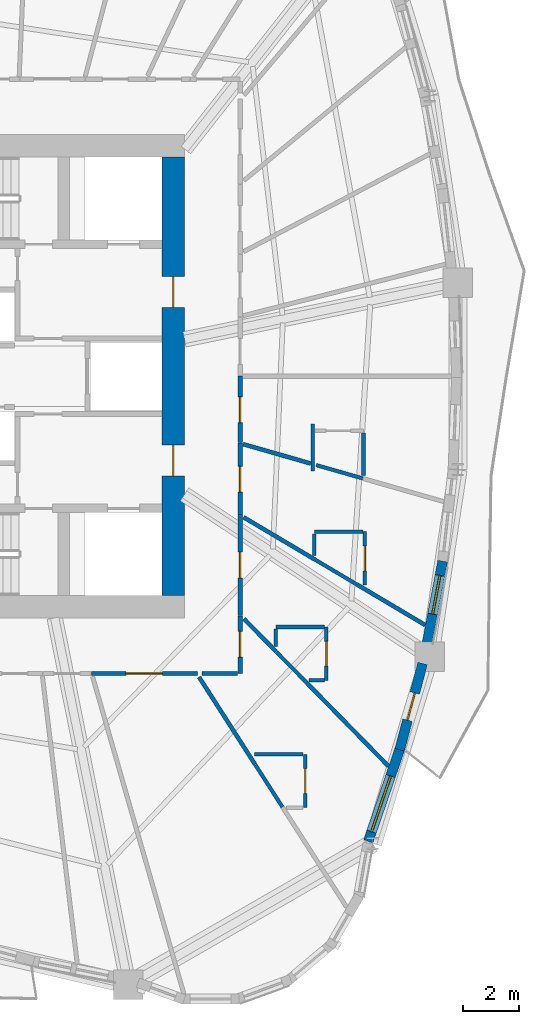
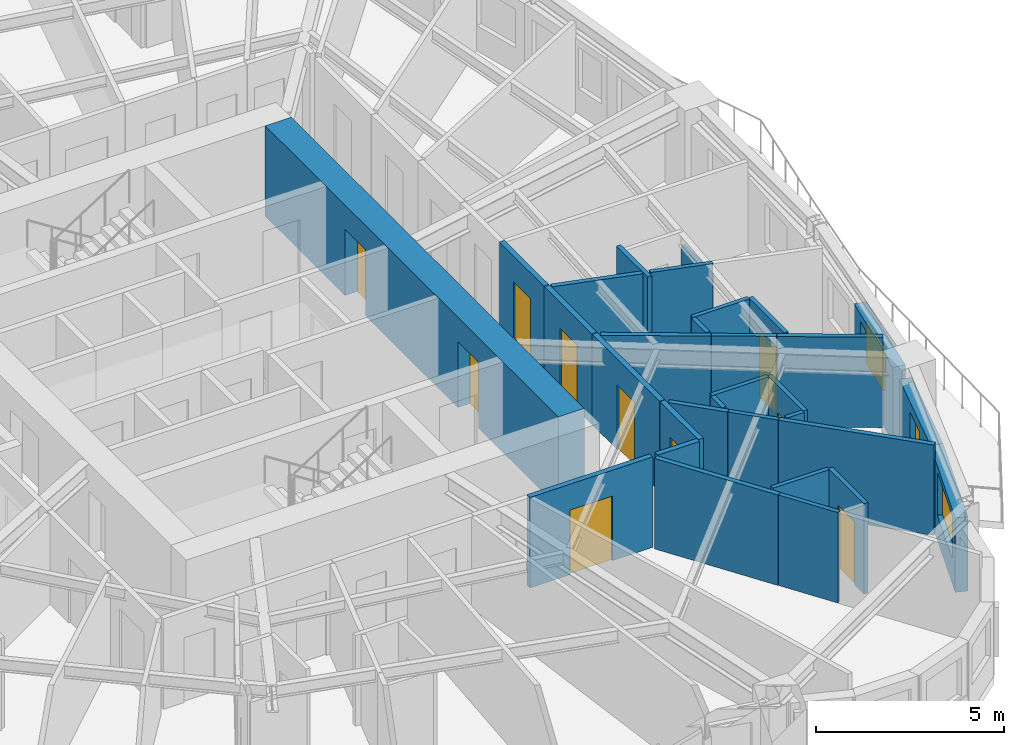
# One storey, part 7 of 14: 31 walls, 11 doors, 2 windows, 13 openings.
"""IFC4 building model written with IfcOpenShell, lengths in metres."""

from ifc_helpers import new_model, si_unit, direction, frame, frame_2d, origin, place, context, subcontext, project, spatial, rectangle, extrude, source, transform, mapped, material, layer, layer_set, type_object, element, fill, save


model = new_model("IFC4")

# Units and contexts
model_context = context("Model", 3, precision=1e-05, world=origin(), true_north=direction((0.0, 1.0)))
body_context = subcontext(model_context, "Body", "Model", "MODEL_VIEW")
ifc_project = project(units=[si_unit("LENGTHUNIT", "METRE"), si_unit("AREAUNIT", "SQUARE_METRE"), si_unit("VOLUMEUNIT", "CUBIC_METRE"), si_unit("PLANEANGLEUNIT", "RADIAN"), si_unit("MASSUNIT", "GRAM", prefix="KILO")], contexts=[model_context])

# Site, building, storey
site_placement = place(None, origin())
site = spatial("IfcSite", under=ifc_project, at=site_placement, CompositionType="ELEMENT")
building_placement = place(site_placement, origin())
building = spatial("IfcBuilding", under=site, at=building_placement, Name="Qafzar Sky-Pleat Residences", CompositionType="ELEMENT")
storey_placement = place(building_placement, frame((0.0, 0.0, 7.800048828125)))
storey = spatial("IfcBuildingStorey", under=building, at=storey_placement, Name="L01", CompositionType="ELEMENT", Elevation=7.800048828125)

# Wall, opening, door
ifc_material_1 = material(Name="Acoustic gypsum plasterboard partition", Category="gypsum")
ifc_layer_1 = layer(ifc_material_1, 0.159912109375)
ifc_layer_set_1 = layer_set([ifc_layer_1], Name="Acoustic gypsum plasterboard partition")
wall_type_1 = type_object("IfcWallType", Name="PART-COR-160", PredefinedType="PARTITIONING", material=ifc_layer_set_1)
wall_1_placement = place(storey_placement, frame((37.154052734375, 15.419921875, 0.0), z_axis=(0.0, 0.0, 1.0), x_axis=(-1.0, 0.0, 0.0)))
wall_1 = element("IfcWall", 1, at=wall_1_placement, inside=storey, type_object=wall_type_1, Name="L01 Partition Wall PART-L01-PW-002", PredefinedType="PARTITIONING", context=body_context, shape_type="SweptSolid", body=[
    extrude(rectangle(XDim=3.774169921875, YDim=0.159912109375, at=frame_2d((1.88720703125, 0.0))), origin(), (0.0, 0.0, 1.0), 2.93994140625),
])
opening_1_placement = place(wall_1_placement, frame((1.238525390625, 0.0, 0.0)))
opening_1 = element("IfcOpeningElement", 2, at=opening_1_placement, cuts=wall_1, Name="Opening ID-05", PredefinedType="OPENING", context=body_context, shape_type="SweptSolid", body=[
    extrude(rectangle(XDim=1.300048828125, YDim=2.10009765625, at=frame_2d((0.64990234375, 1.050048828125))), frame((0.0, 0.08984375, 0.0), z_axis=(0.0, -1.0, 0.0), x_axis=(1.0, 0.0, 0.0)), (0.0, 0.0, 1.0), 0.179931640625),
])
ifc_material_2 = material(Name="Timber-faced fire door", Category="wood")
door_type_1 = type_object("IfcDoorType", Name="DR-LNG-1300", OperationType="DOUBLE_DOOR_SINGLE_SWING", PredefinedType="DOOR", material=ifc_material_2)
shared_shape_1 = source(origin(), body_context, "Body", "SweptSolid", [
    extrude(rectangle(XDim=1.300048828125, YDim=2.10009765625, at=frame_2d((0.64990234375, 1.050048828125))), frame((0.0, 0.02490234375, 0.0), z_axis=(0.0, -1.0, 0.0), x_axis=(1.0, 0.0, 0.0)), (0.0, 0.0, 1.0), 0.050048828125),
])
door_1_placement = place(opening_1_placement, origin())
door_1 = element("IfcDoor", 3, at=door_1_placement, inside=storey, type_object=door_type_1, Name="L01 Co-Living Lounge Door", OperationType="DOUBLE_DOOR_SINGLE_SWING", OverallHeight=2.10009765625, OverallWidth=1.300048828125, PredefinedType="DOOR", context=body_context, shape_type="MappedRepresentation", body=[
    mapped(shared_shape_1, transform((0.0, 0.0, 0.0), x_axis=(1.0, 0.0, 0.0), y_axis=(0.0, 1.0, 0.0), z_axis=(0.0, 0.0, 1.0), scale=1.0)),
])
fill(opening_1, door_1)

wall_2_placement = place(storey_placement, frame((38.679931640625, 21.072998046875, 0.0), z_axis=(0.0, 0.0, 1.0), x_axis=(0.0, -1.0, 0.0)))
wall_2 = element("IfcWall", 4, at=wall_2_placement, inside=storey, type_object=wall_type_1, Name="L01 Partition Wall PART-L01-PW-004", PredefinedType="PARTITIONING", context=body_context, shape_type="SweptSolid", body=[
    extrude(rectangle(XDim=3.589111328125, YDim=0.159912109375, at=frame_2d((1.79443359375, 0.0))), origin(), (0.0, 0.0, 1.0), 2.93994140625),
])
opening_2_placement = place(wall_2_placement, frame((1.3330078125, 0.0, 0.0)))
opening_2 = element("IfcOpeningElement", 5, at=opening_2_placement, cuts=wall_2, Name="Opening ID-04", PredefinedType="OPENING", context=body_context, shape_type="SweptSolid", body=[
    extrude(rectangle(XDim=0.919921875, YDim=2.10009765625, at=frame_2d((0.4599609375, 1.050048828125))), frame((0.0, 0.08984375, 0.0), z_axis=(0.0, -1.0, 0.0), x_axis=(1.0, 0.0, 0.0)), (0.0, 0.0, 1.0), 0.179931640625),
])
door_type_2 = type_object("IfcDoorType", Name="DR-BED-920", OperationType="NOTDEFINED", PredefinedType="DOOR", material=ifc_material_2)
shared_shape_2 = source(origin(), body_context, "Body", "SweptSolid", [
    extrude(rectangle(XDim=0.919921875, YDim=2.10009765625, at=frame_2d((0.4599609375, 1.050048828125))), frame((0.0, 0.02490234375, 0.0), z_axis=(0.0, -1.0, 0.0), x_axis=(1.0, 0.0, 0.0)), (0.0, 0.0, 1.0), 0.050048828125),
])
door_2_placement = place(opening_2_placement, origin())
door_2 = element("IfcDoor", 6, at=door_2_placement, inside=storey, type_object=door_type_2, Name="L01 Co-Living Bedroom 18 Door", OperationType="SINGLE_SWING_LEFT", OverallHeight=2.10009765625, OverallWidth=0.919921875, PredefinedType="DOOR", context=body_context, shape_type="MappedRepresentation", body=[
    mapped(shared_shape_2, transform((0.0, 0.0, 0.0), x_axis=(1.0, 0.0, 0.0), y_axis=(0.0, 1.0, 0.0), z_axis=(0.0, 0.0, 1.0), scale=1.0)),
])
fill(opening_2, door_2)

wall_3_placement = place(storey_placement, frame((38.679931640625, 23.6298828125, 0.0), z_axis=(0.0, 0.0, 1.0), x_axis=(0.0, -1.0, 0.0)))
wall_3 = element("IfcWall", 7, at=wall_3_placement, inside=storey, type_object=wall_type_1, Name="L01 Partition Wall PART-L01-PW-012", PredefinedType="PARTITIONING", context=body_context, shape_type="SweptSolid", body=[
    extrude(rectangle(XDim=2.5419921875, YDim=0.159912109375, at=frame_2d((1.27099609375, 0.0))), origin(), (0.0, 0.0, 1.0), 2.93994140625),
])
opening_3_placement = place(wall_3_placement, frame((0.83544921875, 0.0, 0.0)))
opening_3 = element("IfcOpeningElement", 8, at=opening_3_placement, cuts=wall_3, Name="Opening ID-04", PredefinedType="OPENING", context=body_context, shape_type="SweptSolid", body=[
    extrude(rectangle(XDim=0.919921875, YDim=2.10009765625, at=frame_2d((0.4599609375, 1.050048828125))), frame((0.0, 0.08984375, 0.0), z_axis=(0.0, -1.0, 0.0), x_axis=(1.0, 0.0, 0.0)), (0.0, 0.0, 1.0), 0.179931640625),
])
door_3_placement = place(opening_3_placement, origin())
door_3 = element("IfcDoor", 9, at=door_3_placement, inside=storey, type_object=door_type_2, Name="L01 Co-Living Bedroom 19 Door", OperationType="SINGLE_SWING_LEFT", OverallHeight=2.10009765625, OverallWidth=0.919921875, PredefinedType="DOOR", context=body_context, shape_type="MappedRepresentation", body=[
    mapped(shared_shape_2, transform((0.0, 0.0, 0.0), x_axis=(1.0, 0.0, 0.0), y_axis=(0.0, 1.0, 0.0), z_axis=(0.0, 0.0, 1.0), scale=1.0)),
])
fill(opening_3, door_3)

wall_4_placement = place(storey_placement, frame((38.679931640625, 26.014892578125, 0.0), z_axis=(0.0, 0.0, 1.0), x_axis=(0.0, -1.0, 0.0)))
wall_4 = element("IfcWall", 10, at=wall_4_placement, inside=storey, type_object=wall_type_1, Name="L01 Partition Wall PART-L01-PW-015", PredefinedType="PARTITIONING", context=body_context, shape_type="SweptSolid", body=[
    extrude(rectangle(XDim=2.369873046875, YDim=0.159912109375, at=frame_2d((1.18505859375, 0.0))), origin(), (0.0, 0.0, 1.0), 2.93994140625),
])
opening_4_placement = place(wall_4_placement, frame((0.748046875, 0.0, 0.0)))
opening_4 = element("IfcOpeningElement", 11, at=opening_4_placement, cuts=wall_4, Name="Opening ID-04", PredefinedType="OPENING", context=body_context, shape_type="SweptSolid", body=[
    extrude(rectangle(XDim=0.919921875, YDim=2.10009765625, at=frame_2d((0.4599609375, 1.050048828125))), frame((0.0, 0.08984375, 0.0), z_axis=(0.0, -1.0, 0.0), x_axis=(1.0, 0.0, 0.0)), (0.0, 0.0, 1.0), 0.179931640625),
])
door_4_placement = place(opening_4_placement, origin())
door_4 = element("IfcDoor", 12, at=door_4_placement, inside=storey, type_object=door_type_2, Name="L01 Co-Living Bedroom 20 Door", OperationType="SINGLE_SWING_RIGHT", OverallHeight=2.10009765625, OverallWidth=0.919921875, PredefinedType="DOOR", context=body_context, shape_type="MappedRepresentation", body=[
    mapped(shared_shape_2, transform((0.0, 0.0, 0.0), x_axis=(1.0, 0.0, 0.0), y_axis=(0.0, 1.0, 0.0), z_axis=(0.0, 0.0, 1.0), scale=1.0)),
])
fill(opening_4, door_4)

wall_5_placement = place(storey_placement, frame((38.679931640625, 17.468994140625, 0.0), z_axis=(0.0, 0.0, 1.0), x_axis=(0.0, -1.0, 0.0)))
wall_5 = element("IfcWall", 13, at=wall_5_placement, inside=storey, type_object=wall_type_1, Name="L01 Partition Wall PART-L01-PW-022", PredefinedType="PARTITIONING", context=body_context, shape_type="SweptSolid", body=[
    extrude(rectangle(XDim=2.049072265625, YDim=0.159912109375, at=frame_2d((1.0244140625, 0.0))), origin(), (0.0, 0.0, 1.0), 2.93994140625),
])
opening_5_placement = place(wall_5_placement, frame((0.54638671875, 0.0, 0.0)))
opening_5 = element("IfcOpeningElement", 14, at=opening_5_placement, cuts=wall_5, Name="Opening ID-04", PredefinedType="OPENING", context=body_context, shape_type="SweptSolid", body=[
    extrude(rectangle(XDim=0.919921875, YDim=2.10009765625, at=frame_2d((0.4599609375, 1.050048828125))), frame((0.0, 0.08984375, 0.0), z_axis=(0.0, -1.0, 0.0), x_axis=(1.0, 0.0, 0.0)), (0.0, 0.0, 1.0), 0.179931640625),
])
door_5_placement = place(opening_5_placement, origin())
door_5 = element("IfcDoor", 15, at=door_5_placement, inside=storey, type_object=door_type_2, Name="L01 Co-Living Bedroom 17 Door", OperationType="SINGLE_SWING_RIGHT", OverallHeight=2.10009765625, OverallWidth=0.919921875, PredefinedType="DOOR", context=body_context, shape_type="MappedRepresentation", body=[
    mapped(shared_shape_2, transform((0.0, 0.0, 0.0), x_axis=(1.0, 0.0, 0.0), y_axis=(0.0, 1.0, 0.0), z_axis=(0.0, 0.0, 1.0), scale=1.0)),
])
fill(opening_5, door_5)

# Walls
wall_6_placement = place(storey_placement, frame((37.314453125, 15.419921875, 0.0), z_axis=(0.0, 0.0, 1.0), x_axis=(1.0, 0.0, 0.0)))
element("IfcWall", 16, at=wall_6_placement, inside=storey, type_object=wall_type_1, Name="L01 Partition Wall PART-L01-PW-099", PredefinedType="PARTITIONING", context=body_context, shape_type="SweptSolid", body=[
    extrude(rectangle(XDim=1.277587890625, YDim=0.159912109375, at=frame_2d((0.638671875, 0.0))), origin(), (0.0, 0.0, 1.0), 2.93994140625),
])
ifc_layer_2 = layer(ifc_material_1, 0.14501953125)
ifc_layer_set_2 = layer_set([ifc_layer_2], Name="Acoustic gypsum plasterboard partition")
wall_type_2 = type_object("IfcWallType", Name="PART-UNIT-145", PredefinedType="PARTITIONING", material=ifc_layer_set_2)
wall_7_placement = place(storey_placement, frame((40.949951171875, 15.18994140625, 0.0), z_axis=(0.0, 0.0, 1.0), x_axis=(0.700142401903, -0.714003233226, 0.0)))
element("IfcWall", 17, at=wall_7_placement, inside=storey, type_object=wall_type_2, Name="L01 Partition Wall PART-L01-PW-058", PredefinedType="PARTITIONING", context=body_context, shape_type="SweptSolid", body=[
    extrude(rectangle(XDim=4.2978515625, YDim=0.14501953125, at=frame_2d((2.14892578125, 0.0))), origin(), (0.0, 0.0, 1.0), 2.93994140625),
])
wall_8_placement = place(storey_placement, frame((37.216796875, 15.294189453125, 0.0), z_axis=(0.0, 0.0, 1.0), x_axis=(0.539878709929, -0.841742822105, 0.0)))
element("IfcWall", 18, at=wall_8_placement, inside=storey, type_object=wall_type_2, Name="L01 Partition Wall PART-L01-PW-060", PredefinedType="PARTITIONING", context=body_context, shape_type="SweptSolid", body=[
    extrude(rectangle(XDim=3.693603515625, YDim=0.14501953125, at=frame_2d((1.8466796875, 0.0))), origin(), (0.0, 0.0, 1.0), 2.93994140625),
])
wall_9_placement = place(storey_placement, frame((38.803955078125, 20.9814453125, 0.0), z_axis=(0.0, 0.0, 1.0), x_axis=(0.859905944731, -0.510452511225, 0.0)))
element("IfcWall", 19, at=wall_9_placement, inside=storey, type_object=wall_type_2, Name="L01 Partition Wall PART-L01-PW-067", PredefinedType="PARTITIONING", context=body_context, shape_type="SweptSolid", body=[
    extrude(rectangle(XDim=2.943359375, YDim=0.14501953125, at=frame_2d((1.4716796875, 0.0))), origin(), (0.0, 0.0, 1.0), 2.93994140625),
])
wall_10_placement = place(storey_placement, frame((42.847900390625, 18.5810546875, 0.0), z_axis=(0.0, 0.0, 1.0), x_axis=(0.859872599939, -0.510508679528, 0.0)))
element("IfcWall", 20, at=wall_10_placement, inside=storey, type_object=wall_type_2, Name="L01 Partition Wall PART-L01-PW-070", PredefinedType="PARTITIONING", context=body_context, shape_type="SweptSolid", body=[
    extrude(rectangle(XDim=2.8134765625, YDim=0.14501953125, at=frame_2d((1.40673828125, 0.0))), origin(), (0.0, 0.0, 1.0), 2.93994140625),
])
wall_11_placement = place(storey_placement, frame((38.78759765625, 23.583251953125, 0.0), z_axis=(0.0, 0.0, 1.0), x_axis=(0.961350656565, -0.275326924078, 0.0)))
element("IfcWall", 21, at=wall_11_placement, inside=storey, type_object=wall_type_2, Name="L01 Partition Wall PART-L01-PW-073", PredefinedType="PARTITIONING", context=body_context, shape_type="SweptSolid", body=[
    extrude(rectangle(XDim=2.50146484375, YDim=0.14501953125, at=frame_2d((1.250732421875, 0.0))), origin(), (0.0, 0.0, 1.0), 2.93994140625),
])
wall_12_placement = place(storey_placement, frame((38.8173828125, 17.364990234375, 0.0), z_axis=(0.0, 0.0, 1.0), x_axis=(0.70029627305, -0.713852316626, 0.0)))
element("IfcWall", 22, at=wall_12_placement, inside=storey, type_object=wall_type_2, Name="L01 Partition Wall PART-L01-PW-078", PredefinedType="PARTITIONING", context=body_context, shape_type="SweptSolid", body=[
    extrude(rectangle(XDim=1.638916015625, YDim=0.14501953125, at=frame_2d((0.8193359375, 0.0))), origin(), (0.0, 0.0, 1.0), 2.93994140625),
])

# Wall, opening, door
ifc_material_3 = material(Name="Moisture-resistant gypsum partition", Category="gypsum")
ifc_layer_3 = layer(ifc_material_3, 0.1298828125)
ifc_layer_set_3 = layer_set([ifc_layer_3], Name="Moisture-resistant gypsum partition")
wall_type_3 = type_object("IfcWallType", Name="PART-WET-130", PredefinedType="PARTITIONING", material=ifc_layer_set_3)
wall_13_placement = place(storey_placement, frame((43.1201171875, 18.56591796875, 0.0), z_axis=(0.0, 0.0, 1.0), x_axis=(0.0, 1.0, 0.0)))
wall_13 = element("IfcWall", 23, at=wall_13_placement, inside=storey, type_object=wall_type_3, Name="L01 Partition Wall PART-L01-PW-024", PredefinedType="PARTITIONING", context=body_context, shape_type="SweptSolid", body=[
    extrude(rectangle(XDim=1.900146484375, YDim=0.1298828125, at=frame_2d((0.9501953125, 0.0))), origin(), (0.0, 0.0, 1.0), 2.93994140625),
])
opening_6_placement = place(wall_13_placement, frame((0.510009765625, 0.0, 0.0)))
opening_6 = element("IfcOpeningElement", 24, at=opening_6_placement, cuts=wall_13, Name="Opening ID-07", PredefinedType="OPENING", context=body_context, shape_type="SweptSolid", body=[
    extrude(rectangle(XDim=0.8798828125, YDim=2.050048828125, at=frame_2d((0.43994140625, 1.02490234375))), frame((0.0, 0.074951171875, 0.0), z_axis=(0.0, -1.0, 0.0), x_axis=(1.0, 0.0, 0.0)), (0.0, 0.0, 1.0), 0.14990234375),
])
door_type_3 = type_object("IfcDoorType", Name="DR-WET-880", OperationType="NOTDEFINED", PredefinedType="DOOR", material=ifc_material_2)
shared_shape_3 = source(origin(), body_context, "Body", "SweptSolid", [
    extrude(rectangle(XDim=0.8798828125, YDim=2.050048828125, at=frame_2d((0.43994140625, 1.02490234375))), frame((0.0, 0.02490234375, 0.0), z_axis=(0.0, -1.0, 0.0), x_axis=(1.0, 0.0, 0.0)), (0.0, 0.0, 1.0), 0.050048828125),
])
door_6_placement = place(opening_6_placement, origin())
door_6 = element("IfcDoor", 25, at=door_6_placement, inside=storey, type_object=door_type_3, Name="L01 En-suite Bathroom 19 Door", OperationType="SINGLE_SWING_RIGHT", OverallHeight=2.050048828125, OverallWidth=0.8798828125, PredefinedType="DOOR", context=body_context, shape_type="MappedRepresentation", body=[
    mapped(shared_shape_3, transform((0.0, 0.0, 0.0), x_axis=(1.0, 0.0, 0.0), y_axis=(0.0, 1.0, 0.0), z_axis=(0.0, 0.0, 1.0), scale=1.0)),
])
fill(opening_6, door_6)

wall_14_placement = place(storey_placement, frame((40.99609375, 10.64306640625, 0.0), z_axis=(0.0, 0.0, 1.0), x_axis=(0.0, 1.0, 0.0)))
wall_14 = element("IfcWall", 26, at=wall_14_placement, inside=storey, type_object=wall_type_3, Name="L01 Partition Wall PART-L01-PW-033", PredefinedType="PARTITIONING", context=body_context, shape_type="SweptSolid", body=[
    extrude(rectangle(XDim=1.89990234375, YDim=0.1298828125, at=frame_2d((0.949951171875, 0.0))), origin(), (0.0, 0.0, 1.0), 2.93994140625),
])
opening_7_placement = place(wall_14_placement, frame((0.510009765625, 0.0, 0.0)))
opening_7 = element("IfcOpeningElement", 27, at=opening_7_placement, cuts=wall_14, Name="Opening ID-07", PredefinedType="OPENING", context=body_context, shape_type="SweptSolid", body=[
    extrude(rectangle(XDim=0.8798828125, YDim=2.050048828125, at=frame_2d((0.43994140625, 1.02490234375))), frame((0.0, 0.074951171875, 0.0), z_axis=(0.0, -1.0, 0.0), x_axis=(1.0, 0.0, 0.0)), (0.0, 0.0, 1.0), 0.14990234375),
])
door_7_placement = place(opening_7_placement, origin())
door_7 = element("IfcDoor", 28, at=door_7_placement, inside=storey, type_object=door_type_3, Name="L01 En-suite Bathroom 17 Door", OperationType="SINGLE_SWING_LEFT", OverallHeight=2.050048828125, OverallWidth=0.8798828125, PredefinedType="DOOR", context=body_context, shape_type="MappedRepresentation", body=[
    mapped(shared_shape_3, transform((0.0, 0.0, 0.0), x_axis=(1.0, 0.0, 0.0), y_axis=(0.0, 1.0, 0.0), z_axis=(0.0, 0.0, 1.0), scale=1.0)),
])
fill(opening_7, door_7)

wall_15_placement = place(storey_placement, frame((41.75, 15.175048828125, 0.0), z_axis=(0.0, 0.0, 1.0), x_axis=(0.0, 1.0, 0.0)))
wall_15 = element("IfcWall", 29, at=wall_15_placement, inside=storey, type_object=wall_type_3, Name="L01 Partition Wall PART-L01-PW-034", PredefinedType="PARTITIONING", context=body_context, shape_type="SweptSolid", body=[
    extrude(rectangle(XDim=1.89990234375, YDim=0.1298828125, at=frame_2d((0.949951171875, 0.0))), origin(), (0.0, 0.0, 1.0), 2.93994140625),
])
opening_8_placement = place(wall_15_placement, frame((0.510009765625, 0.0, 0.0)))
opening_8 = element("IfcOpeningElement", 30, at=opening_8_placement, cuts=wall_15, Name="Opening ID-07", PredefinedType="OPENING", context=body_context, shape_type="SweptSolid", body=[
    extrude(rectangle(XDim=0.8798828125, YDim=2.050048828125, at=frame_2d((0.43994140625, 1.02490234375))), frame((0.0, 0.074951171875, 0.0), z_axis=(0.0, -1.0, 0.0), x_axis=(1.0, 0.0, 0.0)), (0.0, 0.0, 1.0), 0.14990234375),
])
door_8_placement = place(opening_8_placement, origin())
door_8 = element("IfcDoor", 31, at=door_8_placement, inside=storey, type_object=door_type_3, Name="L01 En-suite Bathroom 18 Door", OperationType="SINGLE_SWING_RIGHT", OverallHeight=2.050048828125, OverallWidth=0.8798828125, PredefinedType="DOOR", context=body_context, shape_type="MappedRepresentation", body=[
    mapped(shared_shape_3, transform((0.0, 0.0, 0.0), x_axis=(1.0, 0.0, 0.0), y_axis=(0.0, 1.0, 0.0), z_axis=(0.0, 0.0, 1.0), scale=1.0)),
])
fill(opening_8, door_8)

# Walls
wall_16_placement = place(storey_placement, frame((41.39013671875, 22.83837890625, 0.0), z_axis=(0.0, 0.0, 1.0), x_axis=(0.961362810051, -0.275284484582, 0.0)))
element("IfcWall", 32, at=wall_16_placement, inside=storey, type_object=wall_type_3, Name="L01 Partition Wall PART-L01-PW-079", PredefinedType="PARTITIONING", context=body_context, shape_type="SweptSolid", body=[
    extrude(rectangle(XDim=1.717041015625, YDim=0.1298828125, at=frame_2d((0.8583984375, 0.0))), origin(), (0.0, 0.0, 1.0), 2.93994140625),
])
for number, where, z_axis, x_axis, name in (
    (33, (39.196044921875, 12.54296875, 0.0), (0.0, 0.0, 1.0), (1.0, 0.0, 0.0), "L01 Partition Wall PART-L01-PW-081"),
    (34, (39.949951171875, 17.074951171875, 0.0), (0.0, 0.0, 1.0), (1.0, 0.0, 0.0), "L01 Partition Wall PART-L01-PW-089"),
    (35, (41.320068359375, 20.466064453125, 0.0), (0.0, 0.0, 1.0), (1.0, 0.0, 0.0), "L01 Partition Wall PART-L01-PW-090"),
):
    element("IfcWall", number, at=place(storey_placement, frame(where, z_axis=z_axis, x_axis=x_axis)), inside=storey, type_object=wall_type_3, Name=name, PredefinedType="PARTITIONING", context=body_context, shape_type="SweptSolid", body=[
        extrude(rectangle(XDim=1.72705078125, YDim=0.1298828125, at=frame_2d((0.863525390625, 0.0))), origin(), (0.0, 0.0, 1.0), 2.93994140625),
    ])
wall_17_placement = place(storey_placement, frame((39.21923828125, 12.17236328125, 0.0), z_axis=(0.0, 0.0, 1.0), x_axis=(0.539899826285, -0.84172927808, 0.0)))
element("IfcWall", 36, at=wall_17_placement, inside=storey, type_object=wall_type_3, Name="L01 Partition Wall PART-L01-PW-091", PredefinedType="PARTITIONING", context=body_context, shape_type="SweptSolid", body=[
    extrude(rectangle(XDim=1.784423828125, YDim=0.1298828125, at=frame_2d((0.89208984375, 0.0))), origin(), (0.0, 0.0, 1.0), 2.93994140625),
])
wall_18_placement = place(storey_placement, frame((41.347900390625, 19.471435546875, 0.0), z_axis=(0.0, 0.0, 1.0), x_axis=(0.859825694404, -0.510587676352, 0.0)))
element("IfcWall", 37, at=wall_18_placement, inside=storey, type_object=wall_type_3, Name="L01 Partition Wall PART-L01-PW-093", PredefinedType="PARTITIONING", context=body_context, shape_type="SweptSolid", body=[
    extrude(rectangle(XDim=1.7294921875, YDim=0.1298828125, at=frame_2d((0.86474609375, 0.0))), origin(), (0.0, 0.0, 1.0), 2.93994140625),
])
wall_19_placement = place(storey_placement, frame((43.070068359375, 22.458984375, 0.0), z_axis=(0.0, 0.0, 1.0), x_axis=(0.0, 1.0, 0.0)))
element("IfcWall", 38, at=wall_19_placement, inside=storey, type_object=wall_type_3, Name="L01 Partition Wall PART-L01-PW-094", PredefinedType="PARTITIONING", context=body_context, shape_type="SweptSolid", body=[
    extrude(rectangle(XDim=1.528076171875, YDim=0.1298828125, at=frame_2d((0.76416015625, 0.0))), origin(), (0.0, 0.0, 1.0), 2.508056640625),
])
wall_20_placement = place(storey_placement, frame((39.97509765625, 16.18408203125, 0.0), z_axis=(0.0, 0.0, 1.0), x_axis=(0.700338966049, -0.713810431861, 0.0)))
element("IfcWall", 39, at=wall_20_placement, inside=storey, type_object=wall_type_3, Name="L01 Partition Wall PART-L01-PW-101", PredefinedType="PARTITIONING", context=body_context, shape_type="SweptSolid", body=[
    extrude(rectangle(XDim=1.37744140625, YDim=0.1298828125, at=frame_2d((0.688720703125, 0.0))), origin(), (0.0, 0.0, 1.0), 2.93994140625),
])
wall_21_placement = place(storey_placement, frame((41.27001953125, 22.633056640625, 0.0), z_axis=(0.0, 0.0, 1.0), x_axis=(0.0, 1.0, 0.0)))
element("IfcWall", 40, at=wall_21_placement, inside=storey, type_object=wall_type_3, Name="L01 Partition Wall PART-L01-PW-102", PredefinedType="PARTITIONING", context=body_context, shape_type="SweptSolid", body=[
    extrude(rectangle(XDim=1.6669921875, YDim=0.1298828125, at=frame_2d((0.83349609375, 0.0))), origin(), (0.0, 0.0, 1.0), 2.93994140625),
])
wall_22_placement = place(storey_placement, frame((41.320068359375, 19.618896484375, 0.0), z_axis=(0.0, 0.0, 1.0), x_axis=(0.0, 1.0, 0.0)))
element("IfcWall", 41, at=wall_22_placement, inside=storey, type_object=wall_type_3, Name="L01 Partition Wall PART-L01-PW-108", PredefinedType="PARTITIONING", context=body_context, shape_type="SweptSolid", body=[
    extrude(rectangle(XDim=0.774169921875, YDim=0.1298828125, at=frame_2d((0.38720703125, 0.0))), origin(), (0.0, 0.0, 1.0), 2.93994140625),
])
wall_23_placement = place(storey_placement, frame((39.949951171875, 16.3876953125, 0.0), z_axis=(0.0, 0.0, 1.0), x_axis=(0.0, 1.0, 0.0)))
element("IfcWall", 42, at=wall_23_placement, inside=storey, type_object=wall_type_3, Name="L01 Partition Wall PART-L01-PW-111", PredefinedType="PARTITIONING", context=body_context, shape_type="SweptSolid", body=[
    extrude(rectangle(XDim=0.6142578125, YDim=0.1298828125, at=frame_2d((0.30712890625, 0.0))), origin(), (0.0, 0.0, 1.0), 2.93994140625),
])
wall_24_placement = place(storey_placement, frame((41.13818359375, 15.175048828125, 0.0), z_axis=(0.0, 0.0, 1.0), x_axis=(1.0, 0.0, 0.0)))
element("IfcWall", 43, at=wall_24_placement, inside=storey, type_object=wall_type_3, Name="L01 Partition Wall PART-L01-PW-113", PredefinedType="PARTITIONING", context=body_context, shape_type="SweptSolid", body=[
    extrude(rectangle(XDim=0.538818359375, YDim=0.1298828125, at=frame_2d((0.26953125, 0.0))), origin(), (0.0, 0.0, 1.0), 2.93994140625),
])

# Wall, opening, window
ifc_material_4 = material(Name="Precast concrete C40/50 with honed Riyadh limestone", Category="concrete")
ifc_layer_4 = layer(ifc_material_4, 0.35009765625)
ifc_layer_set_4 = layer_set([ifc_layer_4], Name="Precast concrete C40/50 with honed Riyadh limestone")
wall_type_4 = type_object("IfcWallType", Name="WALL-EXT-350", PredefinedType="SOLIDWALL", material=ifc_layer_set_4)
wall_25_placement = place(storey_placement, frame((43.240966796875, 9.447998046875, 0.0), z_axis=(0.0, 0.0, 1.0), x_axis=(0.323599751171, 0.946194060984, 0.0)))
wall_25 = element("IfcWall", 44, at=wall_25_placement, inside=storey, type_object=wall_type_4, Name="L01 Limestone Facade Wall 23", PredefinedType="SOLIDWALL", context=body_context, shape_type="SweptSolid", body=[
    extrude(rectangle(XDim=3.5322265625, YDim=0.35009765625, at=frame_2d((1.76611328125, 0.0))), origin(), (0.0, 0.0, 1.0), 2.419921875),
])
opening_9_placement = place(wall_25_placement, frame((0.355712890625, 0.0, 0.820068359375)))
opening_9 = element("IfcOpeningElement", 45, at=opening_9_placement, cuts=wall_25, Name="Opening WN-07", PredefinedType="OPENING", context=body_context, shape_type="SweptSolid", body=[
    extrude(rectangle(XDim=2.10009765625, YDim=1.39990234375, at=frame_2d((1.050048828125, 0.699951171875))), frame((0.0, 0.18505859375, 0.0), z_axis=(0.0, -1.0, 0.0), x_axis=(1.0, 0.0, 0.0)), (0.0, 0.0, 1.0), 0.3701171875),
])
ifc_material_5 = material(Name="Solar-control low-E glass in bronze aluminium frame", Category="glass")
window_type_1 = type_object("IfcWindowType", Name="WIN-07", PartitioningType="DOUBLE_PANEL_VERTICAL", PredefinedType="WINDOW", material=ifc_material_5)
shared_shape_4 = source(origin(), body_context, "Body", "SweptSolid", [
    extrude(rectangle(XDim=2.10009765625, YDim=1.39990234375, at=frame_2d((1.050048828125, 0.699951171875))), frame((0.0, 0.030029296875, 0.0), z_axis=(0.0, -1.0, 0.0), x_axis=(1.0, 0.0, 0.0)), (0.0, 0.0, 1.0), 0.06005859375),
])
window_1_placement = place(opening_9_placement, origin())
window_1 = element("IfcWindow", 46, at=window_1_placement, inside=storey, type_object=window_type_1, Name="L01 Punched Facade Window 23", OverallHeight=1.39990234375, OverallWidth=2.10009765625, PartitioningType="SINGLE_PANEL", PredefinedType="WINDOW", context=body_context, shape_type="MappedRepresentation", body=[
    mapped(shared_shape_4, transform((0.0, 0.0, 0.0), x_axis=(1.0, 0.0, 0.0), y_axis=(0.0, 1.0, 0.0), z_axis=(0.0, 0.0, 1.0), scale=1.0)),
])
fill(opening_9, window_1)

# Wall, opening, door
wall_26_placement = place(storey_placement, frame((44.3583984375, 12.7060546875, 0.0), z_axis=(0.0, 0.0, 1.0), x_axis=(0.25708907847, 0.966387709841, 0.0)))
wall_26 = element("IfcWall", 47, at=wall_26_placement, inside=storey, type_object=wall_type_4, Name="L01 Limestone Facade Wall 24", PredefinedType="SOLIDWALL", context=body_context, shape_type="SweptSolid", body=[
    extrude(rectangle(XDim=3.179443359375, YDim=0.35009765625, at=frame_2d((1.58984375, 0.0))), origin(), (0.0, 0.0, 1.0), 2.419921875),
])
opening_10_placement = place(wall_26_placement, frame((1.089599609375, 0.0, 0.0)))
opening_10 = element("IfcOpeningElement", 48, at=opening_10_placement, cuts=wall_26, Name="Opening ED-05", PredefinedType="OPENING", context=body_context, shape_type="SweptSolid", body=[
    extrude(rectangle(XDim=1.0, YDim=2.10009765625, at=frame_2d((0.5, 1.050048828125))), frame((0.0, 0.18505859375, 0.0), z_axis=(0.0, -1.0, 0.0), x_axis=(1.0, 0.0, 0.0)), (0.0, 0.0, 1.0), 0.3701171875),
])
ifc_material_6 = material(Name="Glazed bronze aluminium door", Category="aluminium")
door_type_4 = type_object("IfcDoorType", Name="DR-BAL-1000", OperationType="NOTDEFINED", PredefinedType="DOOR", material=ifc_material_6)
shared_shape_5 = source(origin(), body_context, "Body", "SweptSolid", [
    extrude(rectangle(XDim=1.0, YDim=2.10009765625, at=frame_2d((0.5, 1.050048828125))), frame((0.0, 0.02490234375, 0.0), z_axis=(0.0, -1.0, 0.0), x_axis=(1.0, 0.0, 0.0)), (0.0, 0.0, 1.0), 0.050048828125),
])
door_9_placement = place(opening_10_placement, origin())
door_9 = element("IfcDoor", 49, at=door_9_placement, inside=storey, type_object=door_type_4, Name="L01 Glazed Balcony Door 1", OperationType="SINGLE_SWING_LEFT", OverallHeight=2.10009765625, OverallWidth=1.0, PredefinedType="DOOR", context=body_context, shape_type="MappedRepresentation", body=[
    mapped(shared_shape_5, transform((0.0, 0.0, 0.0), x_axis=(1.0, 0.0, 0.0), y_axis=(0.0, 1.0, 0.0), z_axis=(0.0, 0.0, 1.0), scale=1.0)),
])
fill(opening_10, door_9)

# Wall, opening, window
wall_27_placement = place(storey_placement, frame((45.305908203125, 16.350830078125, 0.0), z_axis=(0.0, 0.0, 1.0), x_axis=(0.186681017514, 0.982420580861, 0.0)))
wall_27 = element("IfcWall", 50, at=wall_27_placement, inside=storey, type_object=wall_type_4, Name="L01 Limestone Facade Wall 25", PredefinedType="SOLIDWALL", context=body_context, shape_type="SweptSolid", body=[
    extrude(rectangle(XDim=3.123046875, YDim=0.35009765625, at=frame_2d((1.5615234375, 0.0))), origin(), (0.0, 0.0, 1.0), 2.419921875),
])
opening_11_placement = place(wall_27_placement, frame((1.2041015625, 0.0, 0.820068359375)))
opening_11 = element("IfcOpeningElement", 51, at=opening_11_placement, cuts=wall_27, Name="Opening WN-10", PredefinedType="OPENING", context=body_context, shape_type="SweptSolid", body=[
    extrude(rectangle(XDim=1.39990234375, YDim=1.35009765625, at=frame_2d((0.699951171875, 0.675048828125))), frame((0.0, 0.18505859375, 0.0), z_axis=(0.0, -1.0, 0.0), x_axis=(1.0, 0.0, 0.0)), (0.0, 0.0, 1.0), 0.3701171875),
])
window_type_2 = type_object("IfcWindowType", Name="WIN-10", PartitioningType="SINGLE_PANEL", PredefinedType="WINDOW", material=ifc_material_5)
shared_shape_6 = source(origin(), body_context, "Body", "SweptSolid", [
    extrude(rectangle(XDim=1.39990234375, YDim=1.35009765625, at=frame_2d((0.699951171875, 0.675048828125))), frame((0.0, 0.030029296875, 0.0), z_axis=(0.0, -1.0, 0.0), x_axis=(1.0, 0.0, 0.0)), (0.0, 0.0, 1.0), 0.06005859375),
])
window_2_placement = place(opening_11_placement, origin())
window_2 = element("IfcWindow", 52, at=window_2_placement, inside=storey, type_object=window_type_2, Name="L01 Punched Facade Window 25-2", OverallHeight=1.35009765625, OverallWidth=1.39990234375, PartitioningType="SINGLE_PANEL", PredefinedType="WINDOW", context=body_context, shape_type="MappedRepresentation", body=[
    mapped(shared_shape_6, transform((0.0, 0.0, 0.0), x_axis=(1.0, 0.0, 0.0), y_axis=(0.0, 1.0, 0.0), z_axis=(0.0, 0.0, 1.0), scale=1.0)),
])
fill(opening_11, window_2)

# Wall, openings, doors
ifc_material_7 = material(Name="Concrete C60/75", Category="concrete")
ifc_layer_5 = layer(ifc_material_7, 0.800048828125)
ifc_layer_set_5 = layer_set([ifc_layer_5], Name="Concrete C60/75")
wall_type_5 = type_object("IfcWallType", Name="WALL-SHEAR-800", PredefinedType="SHEAR", material=ifc_layer_set_5)
wall_28_placement = place(storey_placement, frame((36.300048828125, 18.199951171875, 0.0), z_axis=(0.0, 0.0, 1.0), x_axis=(0.0, 1.0, 0.0)))
wall_28 = element("IfcWall", 53, at=wall_28_placement, inside=storey, type_object=wall_type_5, Name="L01 CORE wall E", PredefinedType="SHEAR", context=body_context, shape_type="SweptSolid", body=[
    extrude(rectangle(XDim=15.60009765625, YDim=0.800048828125, at=frame_2d((7.800048828125, 0.0))), origin(), (0.0, 0.0, 1.0), 2.93994140625),
])
opening_12_placement = place(wall_28_placement, frame((4.25, 0.0, 0.0)))
opening_12 = element("IfcOpeningElement", 54, at=opening_12_placement, cuts=wall_28, Name="Opening ID-02", PredefinedType="OPENING", context=body_context, shape_type="SweptSolid", body=[
    extrude(rectangle(XDim=1.10009765625, YDim=2.14990234375, at=frame_2d((0.550048828125, 1.074951171875))), frame((0.0, 0.41015625, 0.0), z_axis=(0.0, -1.0, 0.0), x_axis=(1.0, 0.0, 0.0)), (0.0, 0.0, 1.0), 0.820068359375),
])
opening_13_placement = place(wall_28_placement, frame((10.25, 0.0, 0.0)))
opening_13 = element("IfcOpeningElement", 55, at=opening_13_placement, cuts=wall_28, Name="Opening ID-02", PredefinedType="OPENING", context=body_context, shape_type="SweptSolid", body=[
    extrude(rectangle(XDim=1.10009765625, YDim=2.14990234375, at=frame_2d((0.550048828125, 1.074951171875))), frame((0.0, 0.41015625, 0.0), z_axis=(0.0, -1.0, 0.0), x_axis=(1.0, 0.0, 0.0)), (0.0, 0.0, 1.0), 0.820068359375),
])
door_type_5 = type_object("IfcDoorType", Name="DR-FFL-1100", OperationType="NOTDEFINED", PredefinedType="DOOR", material=ifc_material_2)
shared_shape_7 = source(origin(), body_context, "Body", "SweptSolid", [
    extrude(rectangle(XDim=1.10009765625, YDim=2.14990234375, at=frame_2d((0.550048828125, 1.074951171875))), frame((0.0, 0.02490234375, 0.0), z_axis=(0.0, -1.0, 0.0), x_axis=(1.0, 0.0, 0.0)), (0.0, 0.0, 1.0), 0.050048828125),
])
door_10_placement = place(opening_12_placement, origin())
door_10 = element("IfcDoor", 56, at=door_10_placement, inside=storey, type_object=door_type_5, Name="L01 Firefighting Lobby South Corridor Door", OperationType="SINGLE_SWING_LEFT", OverallHeight=2.14990234375, OverallWidth=1.10009765625, PredefinedType="DOOR", context=body_context, shape_type="MappedRepresentation", body=[
    mapped(shared_shape_7, transform((0.0, 0.0, 0.0), x_axis=(1.0, 0.0, 0.0), y_axis=(0.0, 1.0, 0.0), z_axis=(0.0, 0.0, 1.0), scale=1.0)),
])
fill(opening_12, door_10)
door_11_placement = place(opening_13_placement, origin())
door_11 = element("IfcDoor", 57, at=door_11_placement, inside=storey, type_object=door_type_5, Name="L01 Firefighting Lobby North Corridor Door", OperationType="SINGLE_SWING_RIGHT", OverallHeight=2.14990234375, OverallWidth=1.10009765625, PredefinedType="DOOR", context=body_context, shape_type="MappedRepresentation", body=[
    mapped(shared_shape_7, transform((0.0, 0.0, 0.0), x_axis=(1.0, 0.0, 0.0), y_axis=(0.0, 1.0, 0.0), z_axis=(0.0, 0.0, 1.0), scale=1.0)),
])
fill(opening_13, door_11)

save(model, "model.ifc")
